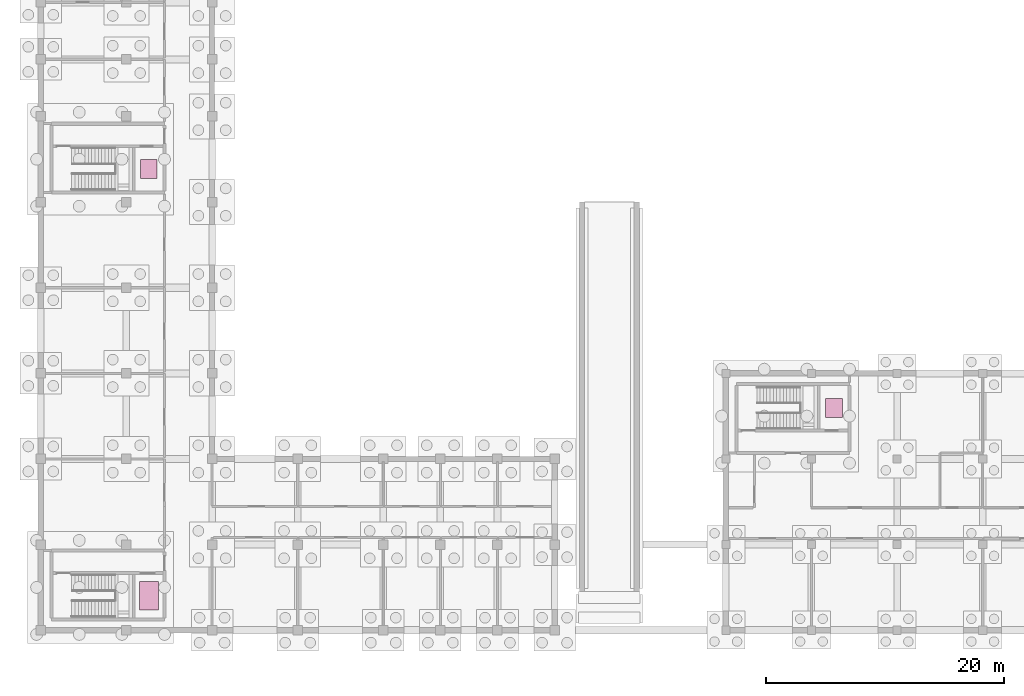
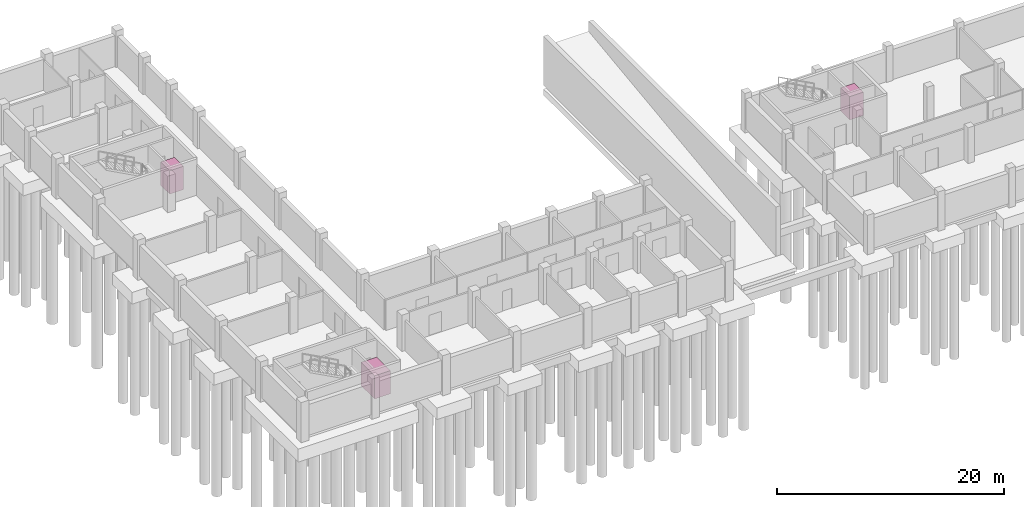
# One storey, part 10 of 10: 3 transport elements.
"""IFC4 building model written with IfcOpenShell, lengths in metres."""

from ifc_helpers import new_model, si_unit, direction, frame, origin, origin_2d, place, context, subcontext, project, spatial, rectangle, extrude, material, type_object, element, save


model = new_model("IFC4")

# Units and contexts
model_context = context("Model", 3, precision=1e-05, world=origin(), true_north=direction((0.0, 1.0)))
body_context = subcontext(model_context, "Body", "Model", "MODEL_VIEW")
ifc_project = project(units=[si_unit("LENGTHUNIT", "METRE"), si_unit("AREAUNIT", "SQUARE_METRE"), si_unit("VOLUMEUNIT", "CUBIC_METRE"), si_unit("PLANEANGLEUNIT", "RADIAN"), si_unit("MASSUNIT", "GRAM", prefix="KILO")], contexts=[model_context])

# Site, building, storey
site_placement = place(None, origin())
site = spatial("IfcSite", under=ifc_project, at=site_placement, CompositionType="ELEMENT")
building_placement = place(site_placement, origin())
building = spatial("IfcBuilding", under=site, at=building_placement, Name="Zornivar Specialist Clinic", CompositionType="ELEMENT")
storey_placement = place(building_placement, frame((0.0, 0.0, -4.199951171875)))
storey = spatial("IfcBuildingStorey", under=building, at=storey_placement, Name="B1", CompositionType="ELEMENT", Elevation=-4.199951171875)

# Transport elements
ifc_material_1 = material(Name="Stainless Steel Accessible Passenger Lift Car", Category="steel")
transport_element_type_1 = type_object("IfcTransportElementType", Name="LFT-CLINICAL-1000", PredefinedType="ELEVATOR", material=ifc_material_1)
for number, where, z_axis, x_axis, name in (
    (1, (9.090087890625, 38.800048828125, 0.0), (0.0, 0.0, 1.0), (1.0, 0.0, 0.0), "Clinical Lift LF-03"),
    (2, (66.68994140625, 18.699951171875, 0.0), (0.0, 0.0, 1.0), (1.0, 0.0, 0.0), "Clinical Lift LF-04"),
):
    element("IfcTransportElement", number, at=place(storey_placement, frame(where, z_axis=z_axis, x_axis=x_axis)), inside=storey, type_object=transport_element_type_1, Name=name, PredefinedType="ELEVATOR", context=body_context, shape_type="SweptSolid", body=[
        extrude(rectangle(XDim=1.39990234375, YDim=1.60009765625, at=origin_2d()), origin(), (0.0, 0.0, 1.0), 2.5),
    ])
ifc_material_2 = material(Name="Stainless Steel Clinical Stretcher Lift Car", Category="steel")
transport_element_type_2 = type_object("IfcTransportElementType", Name="LFT-STRETCHER-1600", PredefinedType="ELEVATOR", material=ifc_material_2)
transport_element_placement = place(storey_placement, frame((9.090087890625, 2.89990234375, 0.0), z_axis=(0.0, 0.0, 1.0), x_axis=(1.0, 0.0, 0.0)))
element("IfcTransportElement", 3, at=transport_element_placement, inside=storey, type_object=transport_element_type_2, Name="Clinical Lift LF-01", PredefinedType="ELEVATOR", context=body_context, shape_type="SweptSolid", body=[
    extrude(rectangle(XDim=1.60009765625, YDim=2.39990234375, at=origin_2d()), origin(), (0.0, 0.0, 1.0), 2.5),
])

save(model, "model.ifc")
